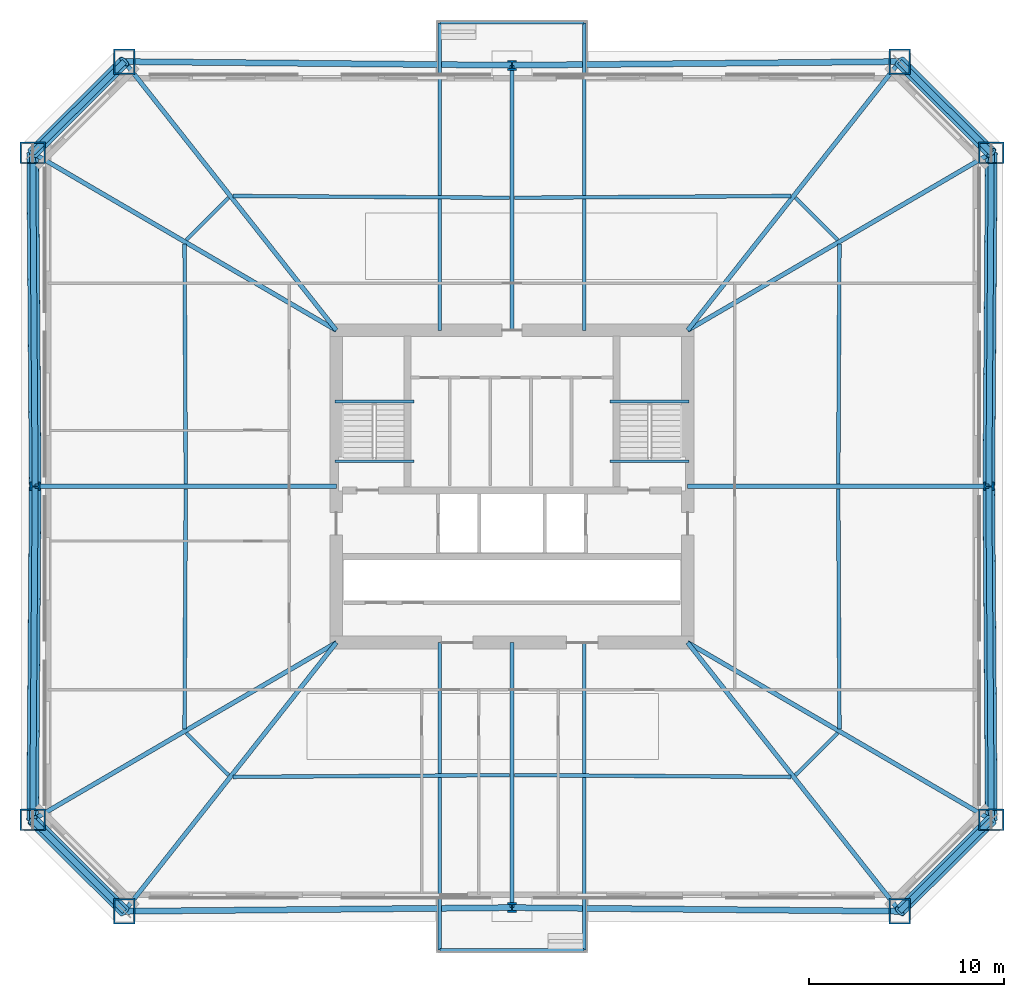
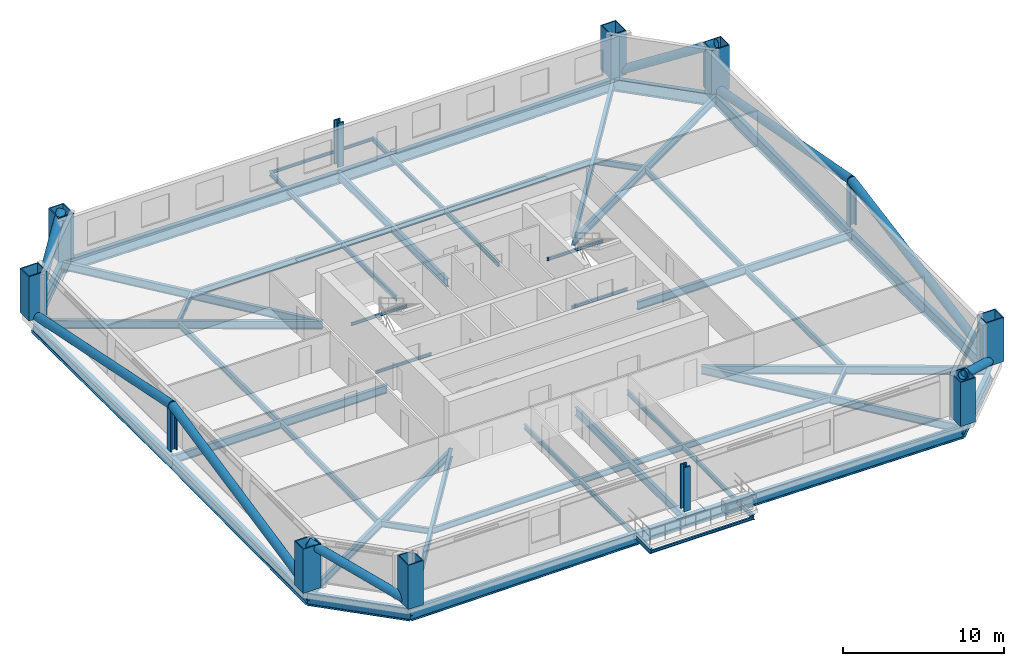
# One storey, part 1 of 7: 46 beams, 12 columns, 8 members.
"""IFC4 building model written with IfcOpenShell, lengths in metres."""

import ifcopenshell
import ifcopenshell.guid

model = None  # the IFC model being written
_history = None  # IfcOwnerHistory: only IFC2X3 demands one
_inside = {}  # id of a spatial element -> (the spatial element, [elements in it])
_under = {}  # id of a project, library or spatial element -> (it, [spatial elements below it])
_declared = {}  # id of a project -> (the project, [libraries it declares])
_typed = {}  # id of a type object -> (the type object, [elements of that type])
_made_of = {}  # id of a material, layer set ... -> (it, [elements and type objects made of it])


def new_model(schema):
    """Start an empty IFC model of exactly this schema.

    Asked for "IFC4X3", IfcOpenShell would pick the latest addendum, in which some entities
    have other attributes; the version numbers below select the first issue.
    IFC2X3 requires an IfcOwnerHistory on every rooted entity: one is made here for all.
    """
    global model, _history
    if schema == "IFC4X3":
        model = ifcopenshell.file(schema_version=(4, 3, 0, 0))
    else:
        model = ifcopenshell.file(schema=schema)
    _inside.clear()
    _under.clear()
    _declared.clear()
    _typed.clear()
    _made_of.clear()
    _history = None
    if model.schema == "IFC2X3":
        org = make("IfcOrganization", Name="unknown")
        user = make(
            "IfcPersonAndOrganization",
            ThePerson=make("IfcPerson", FamilyName="unknown"),
            TheOrganization=org,
        )
        app = make(
            "IfcApplication",
            ApplicationDeveloper=org,
            Version="unknown",
            ApplicationFullName="unknown",
            ApplicationIdentifier="unknown",
        )
        _history = make(
            "IfcOwnerHistory",
            OwningUser=user,
            OwningApplication=app,
            ChangeAction="ADDED",
            CreationDate=0,
        )
    return model


def make(cls, **values):
    """One entity of the class cls with the attributes given. An attribute that is None is left unset."""
    return model.create_entity(
        cls, **{name: value for name, value in values.items() if value is not None}
    )


def rooted(cls, **values):
    """An entity with a GlobalId (a new one), such as an element, a storey or a relation."""
    return make(cls, GlobalId=ifcopenshell.guid.new(), OwnerHistory=_history, **values)


def si_unit(unit_type, name, prefix=None):
    """IfcSIUnit, for example si_unit("LENGTHUNIT", "METRE", prefix="MILLI")."""
    return make("IfcSIUnit", UnitType=unit_type, Prefix=prefix, Name=name)


def assignment(units):
    """IfcUnitAssignment: the units of a project."""
    return None if units is None else make("IfcUnitAssignment", Units=units)


def point(xyz):
    """IfcCartesianPoint."""
    return None if xyz is None else make("IfcCartesianPoint", Coordinates=xyz)


def direction(xyz):
    """IfcDirection."""
    return None if xyz is None else make("IfcDirection", DirectionRatios=xyz)


def frame(location, z_axis=None, x_axis=None):
    """IfcAxis2Placement3D, a coordinate frame: its origin and axes. An axis left out is left unset."""
    return make(
        "IfcAxis2Placement3D",
        Location=point(location),
        Axis=direction(z_axis),
        RefDirection=direction(x_axis),
    )


def frame_2d(location, x_axis=None):
    """IfcAxis2Placement2D, a coordinate frame in the plane: its origin and x axis."""
    return make(
        "IfcAxis2Placement2D", Location=point(location), RefDirection=direction(x_axis)
    )


def origin():
    """The frame at (0, 0, 0) with its axes left unset."""
    return frame((0.0, 0.0, 0.0))


def origin_2d():
    """The frame at (0, 0) in the plane with its x axis left unset."""
    return frame_2d((0.0, 0.0))


def place(relative_to, where):
    """IfcLocalPlacement: puts the frame where relative to a parent placement (None: the world)."""
    return make(
        "IfcLocalPlacement", PlacementRelTo=relative_to, RelativePlacement=where
    )


def context(
    kind, dimensions, precision=None, world=None, true_north=None, identifier=None
):
    """IfcGeometricRepresentationContext, for example the 3D "Model" context."""
    return make(
        "IfcGeometricRepresentationContext",
        ContextIdentifier=identifier,
        ContextType=kind,
        CoordinateSpaceDimension=dimensions,
        Precision=precision,
        WorldCoordinateSystem=world,
        TrueNorth=true_north,
    )


def subcontext(parent, identifier, kind, view, scale=None):
    """IfcGeometricRepresentationSubContext, for example "Body" below "Model"."""
    return make(
        "IfcGeometricRepresentationSubContext",
        ContextIdentifier=identifier,
        ContextType=kind,
        ParentContext=parent,
        TargetScale=scale,
        TargetView=view,
    )


def project(units=None, contexts=None):
    """IfcProject with its units and contexts."""
    return rooted(
        "IfcProject",
        Name="project",
        RepresentationContexts=contexts,
        UnitsInContext=assignment(units),
    )


def spatial(cls, under=None, at=None, **own):
    """A site, building, storey or space (cls), placed at a placement, below another one or the project."""
    s = rooted(cls, ObjectPlacement=at, **own)
    if under is not None:
        _under.setdefault(under.id(), (under, []))[1].append(s)
    return s


def profile(cls, at=None, kind="AREA", **sizes):
    """A parametric profile (cls). Its sizes go by their IFC names, for example OverallWidth=200.0."""
    return make(cls, ProfileType=kind, Position=at, **sizes)


def hollow_rectangle(**sizes):
    """IfcRectangleHollowProfileDef."""
    return profile("IfcRectangleHollowProfileDef", **sizes)


def hollow_circle(**sizes):
    """IfcCircleHollowProfileDef."""
    return profile("IfcCircleHollowProfileDef", **sizes)


def i_section(**sizes):
    """IfcIShapeProfileDef."""
    return profile("IfcIShapeProfileDef", **sizes)


def extrude(swept, where, along, depth):
    """IfcExtrudedAreaSolid: the profile swept, set in the frame where, extruded along a direction by depth."""
    return make(
        "IfcExtrudedAreaSolid",
        SweptArea=swept,
        Position=where,
        ExtrudedDirection=direction(along),
        Depth=depth,
    )


def shape(context_of_items, identifier, shape_type, items):
    """IfcShapeRepresentation: the items that make up one representation, for example the "Body"."""
    return make(
        "IfcShapeRepresentation",
        ContextOfItems=context_of_items,
        RepresentationIdentifier=identifier,
        RepresentationType=shape_type,
        Items=items,
    )


def material(Name=None, Category=None):
    """IfcMaterial."""
    return make("IfcMaterial", Name=Name, Category=Category)


def material_profile(
    of_material, cross_section, Name=None, Category=None, Priority=None
):
    """IfcMaterialProfile: a cross section and its material."""
    return make(
        "IfcMaterialProfile",
        Name=Name,
        Material=of_material,
        Profile=cross_section,
        Priority=Priority,
        Category=Category,
    )


def profile_set(profiles, Name=None, composite=None):
    """IfcMaterialProfileSet."""
    return make(
        "IfcMaterialProfileSet",
        Name=Name,
        MaterialProfiles=profiles,
        CompositeProfile=composite,
    )


def made_of(thing, what):
    """Note that an element or type object is made of a material, layer set ...; save() writes the relation."""
    if what is not None:
        _made_of.setdefault(what.id(), (what, []))[1].append(thing)
    return thing


def type_object(cls, material=None, **own):
    """A type object (cls), such as IfcWallType, which elements share."""
    return made_of(rooted(cls, **own), material)


def element(
    cls,
    number,
    at=None,
    inside=None,
    cuts=None,
    type_object=None,
    material=None,
    context=None,
    identifier="Body",
    shape_type=None,
    held_by="IfcProductDefinitionShape",
    body=None,
    shapes=None,
    **own,
):
    """One element of the class cls, such as IfcWall. Its Tag is "e" and its number.

    at: its placement. inside: the storey or other place that contains it. cuts: it is an
    opening in that element (IfcRelVoidsElement). A single representation is given by context,
    identifier, shape_type and body (its items); several are given by shapes. held_by: the class
    of the entity that holds the representations. save() writes the other relations.
    """
    e = rooted(cls, Tag="e%d" % number, ObjectPlacement=at, **own)
    if body is not None:
        shapes = [shape(context, identifier, shape_type, body)]
    if shapes is not None:
        e.Representation = make(held_by, Representations=shapes)
    if inside is not None:
        _inside.setdefault(inside.id(), (inside, []))[1].append(e)
    if cuts is not None:
        rooted(
            "IfcRelVoidsElement", RelatingBuildingElement=cuts, RelatedOpeningElement=e
        )
    if type_object is not None:
        _typed.setdefault(type_object.id(), (type_object, []))[1].append(e)
    return made_of(e, material)


def aggregate(whole, parts):
    """IfcRelAggregates: a whole, such as a stair, and the parts it consists of."""
    return rooted("IfcRelAggregates", RelatingObject=whole, RelatedObjects=parts)


def save(model, path):
    """Write the relations noted so far, then the file.

    IfcRelAggregates (storeys below a building ...), IfcRelContainedInSpatialStructure (elements
    in a storey), IfcRelDefinesByType, IfcRelAssociatesMaterial and IfcRelDeclares: one each for
    every whole, place, type object, material and project.
    """
    for whole, parts in _under.values():
        aggregate(whole, parts)
    for where, things in _inside.values():
        rooted(
            "IfcRelContainedInSpatialStructure",
            RelatedElements=things,
            RelatingStructure=where,
        )
    for kind, things in _typed.values():
        rooted("IfcRelDefinesByType", RelatedObjects=things, RelatingType=kind)
    for what, things in _made_of.values():
        rooted("IfcRelAssociatesMaterial", RelatedObjects=things, RelatingMaterial=what)
    for by, libraries in _declared.values():
        rooted("IfcRelDeclares", RelatingContext=by, RelatedDefinitions=libraries)
    model.write(path)


model = new_model("IFC4")

# Units and contexts
model_context = context("Model", 3, precision=1e-05, world=origin(), true_north=direction((0.0, 1.0)))
body_context = subcontext(model_context, "Body", "Model", "MODEL_VIEW")
ifc_project = project(units=[si_unit("LENGTHUNIT", "METRE"), si_unit("AREAUNIT", "SQUARE_METRE"), si_unit("VOLUMEUNIT", "CUBIC_METRE"), si_unit("PLANEANGLEUNIT", "RADIAN"), si_unit("MASSUNIT", "GRAM", prefix="KILO")], contexts=[model_context])

# Site, building, storey
site_placement = place(None, origin())
site = spatial("IfcSite", under=ifc_project, at=site_placement, CompositionType="ELEMENT")
building_placement = place(site_placement, origin())
building = spatial("IfcBuilding", under=site, at=building_placement, Name="Caelvoria Tower", CompositionType="ELEMENT")
storey_placement = place(building_placement, frame((0.0, 0.0, 38.800048828125)))
storey = spatial("IfcBuildingStorey", under=building, at=storey_placement, Name="L09", CompositionType="ELEMENT", Elevation=38.800048828125)

# Columns
ifc_material_1 = material(Name="Structural Steel ASTM A913 Gr.65", Category="steel")
ifc_material_profile_1 = material_profile(ifc_material_1, i_section(OverallWidth=0.43896484375, OverallDepth=0.513916015625, WebThickness=0.059814453125, FlangeThickness=0.096923828125, FilletRadius=0.02490234375, at=origin_2d()), Name="Structural Steel ASTM A913 Gr.65")
ifc_profile_set_1 = profile_set([ifc_material_profile_1], Name="W360X818 - Structural Steel ASTM A913 Gr.65")
column_type_1 = type_object("IfcColumnType", Name="Heavy Frame Column W360X818", PredefinedType="COLUMN", material=ifc_profile_set_1)
for number, where, z_axis, x_axis, name in (
    (1, (46.0, 10.419921875, 0.0), (0.0, 0.0, 1.0), (1.0, 0.0, 0.0), "Perimeter Megaframe Column L09-P01"),
    (2, (70.429931640625, 32.0, 0.0), (0.0, 0.0, 1.0), (0.0, 1.0, 0.0), "Perimeter Megaframe Column L09-P04"),
    (3, (46.0, 53.580078125, 0.0), (0.0, 0.0, 1.0), (1.0, 0.0, 0.0), "Perimeter Megaframe Column L09-P07"),
    (4, (21.570068359375, 32.0, 0.0), (0.0, 0.0, 1.0), (0.0, 1.0, 0.0), "Perimeter Megaframe Column L09-P10"),
):
    element("IfcColumn", number, at=place(storey_placement, frame(where, z_axis=z_axis, x_axis=x_axis)), inside=storey, type_object=column_type_1, Name=name, PredefinedType="COLUMN", context=body_context, shape_type="SweptSolid", body=[
        extrude(i_section(OverallWidth=0.43896484375, OverallDepth=0.513916015625, WebThickness=0.059814453125, FlangeThickness=0.096923828125, FilletRadius=0.02490234375, at=origin_2d()), origin(), (0.0, 0.0, 1.0), 3.35791015625),
    ])
ifc_material_2 = material(Name="Structural Steel ASTM A572 Gr.50", Category="steel")
ifc_material_profile_2 = material_profile(ifc_material_2, hollow_rectangle(XDim=1.10009765625, YDim=1.300048828125, WallThickness=0.070068359375, at=origin_2d()), Name="Structural Steel ASTM A572 Gr.50")
ifc_profile_set_2 = profile_set([ifc_material_profile_2], Name="BOX1300X1100X70 - Structural Steel ASTM A572 Gr.50")
column_type_2 = type_object("IfcColumnType", Name="Mega Box Column 1300x1100x70", PredefinedType="COLUMN", material=ifc_profile_set_2)
for number, where, z_axis, x_axis, name in (
    (5, (26.13525390625, 10.231689453125, 0.0), (0.0, 0.0, 1.0), (1.0, 0.0, 0.0), "Perimeter Megaframe Column L09-P00"),
    (6, (65.86474609375, 10.231689453125, 0.0), (0.0, 0.0, 1.0), (1.0, 0.0, 0.0), "Perimeter Megaframe Column L09-P02"),
    (7, (70.55908203125, 14.9111328125, 0.0), (0.0, 0.0, 1.0), (0.0, 1.0, 0.0), "Perimeter Megaframe Column L09-P03"),
    (8, (70.55908203125, 49.0888671875, 0.0), (0.0, 0.0, 1.0), (0.0, 1.0, 0.0), "Perimeter Megaframe Column L09-P05"),
    (9, (65.86474609375, 53.768310546875, 0.0), (0.0, 0.0, 1.0), (1.0, 0.0, 0.0), "Perimeter Megaframe Column L09-P06"),
    (10, (26.13525390625, 53.768310546875, 0.0), (0.0, 0.0, 1.0), (1.0, 0.0, 0.0), "Perimeter Megaframe Column L09-P08"),
    (11, (21.44091796875, 49.0888671875, 0.0), (0.0, 0.0, 1.0), (0.0, 1.0, 0.0), "Perimeter Megaframe Column L09-P09"),
    (12, (21.44091796875, 14.9111328125, 0.0), (0.0, 0.0, 1.0), (0.0, 1.0, 0.0), "Perimeter Megaframe Column L09-P11"),
):
    element("IfcColumn", number, at=place(storey_placement, frame(where, z_axis=z_axis, x_axis=x_axis)), inside=storey, type_object=column_type_2, Name=name, PredefinedType="COLUMN", context=body_context, shape_type="SweptSolid", body=[
        extrude(hollow_rectangle(XDim=1.10009765625, YDim=1.300048828125, WallThickness=0.070068359375, at=origin_2d()), origin(), (0.0, 0.0, 1.0), 3.35791015625),
    ])

# Beams
ifc_material_3 = material(Name="Structural Steel ASTM A992 Gr.50", Category="steel")
ifc_material_profile_3 = material_profile(ifc_material_3, i_section(OverallWidth=0.134033203125, OverallDepth=0.2099609375, WebThickness=0.00634765625, FlangeThickness=0.01025390625, FilletRadius=0.010009765625, at=origin_2d()), Name="Structural Steel ASTM A992 Gr.50")
ifc_profile_set_3 = profile_set([ifc_material_profile_3], Name="W200X31.3 - Structural Steel ASTM A992 Gr.50")
beam_type_1 = type_object("IfcBeamType", Name="Canopy Edge Trim Beam W200X31.3", PredefinedType="BEAM", material=ifc_profile_set_3)
for number, where, z_axis, x_axis, name in (
    (13, (42.300048828125, 8.25, -0.629150390625), (1.0, 0.0, 0.0), (0.0, 1.0, 0.0), "Tree Balcony Edge Beam TB-L09-S"),
    (14, (42.300048828125, 55.75, -0.629150390625), (1.0, 0.0, 0.0), (0.0, 1.0, 0.0), "Tree Balcony Edge Beam TB-L09-N"),
):
    element("IfcBeam", number, at=place(storey_placement, frame(where, z_axis=z_axis, x_axis=x_axis)), inside=storey, type_object=beam_type_1, Name=name, PredefinedType="BEAM", context=body_context, shape_type="SweptSolid", body=[
        extrude(i_section(OverallWidth=0.134033203125, OverallDepth=0.2099609375, WebThickness=0.00634765625, FlangeThickness=0.01025390625, FilletRadius=0.010009765625, at=origin_2d()), origin(), (0.0, 0.0, 1.0), 7.39990234375),
    ])
for number, where, z_axis, x_axis, name in (
    (15, (36.929931640625, 36.35009765625, 1.494873046875), (1.0, 0.0, 0.0), (0.0, 1.0, 0.0), "ST-01 Half-Landing Support Beam L09"),
    (16, (36.929931640625, 33.300048828125, -0.304931640625), (1.0, 0.0, 0.0), (0.0, 1.0, 0.0), "ST-01 Floor-Landing Support Beam L09"),
    (17, (51.030029296875, 36.35009765625, 1.494873046875), (1.0, 0.0, 0.0), (0.0, 1.0, 0.0), "ST-02 Half-Landing Support Beam L09"),
    (18, (51.030029296875, 33.300048828125, -0.304931640625), (1.0, 0.0, 0.0), (0.0, 1.0, 0.0), "ST-02 Floor-Landing Support Beam L09"),
):
    element("IfcBeam", number, at=place(storey_placement, frame(where, z_axis=z_axis, x_axis=x_axis)), inside=storey, type_object=beam_type_1, Name=name, PredefinedType="BEAM", context=body_context, shape_type="SweptSolid", body=[
        extrude(i_section(OverallWidth=0.134033203125, OverallDepth=0.2099609375, WebThickness=0.00634765625, FlangeThickness=0.01025390625, FilletRadius=0.010009765625, at=origin_2d()), origin(), (0.0, 0.0, 1.0), 4.0400390625),
    ])

# Members
ifc_material_profile_4 = material_profile(ifc_material_2, hollow_circle(Radius=0.304931640625, WallThickness=0.02490234375, at=origin_2d()), Name="Structural Steel ASTM A572 Gr.50")
ifc_profile_set_4 = profile_set([ifc_material_profile_4], Name="CHS610X25 - Structural Steel ASTM A572 Gr.50")
member_type = type_object("IfcMemberType", Name="Lower Perimeter Mega Brace CHS610X25", PredefinedType="BRACE", material=ifc_profile_set_4)
for number, where, z_axis, x_axis, name in (
    (19, (70.55908203125, 14.9111328125, 0.0), (-0.631706723412, -0.6297026611, 0.452129598897), (0.705982475332, -0.708229302221, 0.0), "Perimeter Chamfer Mega Brace L09 SE"),
    (20, (65.86474609375, 53.768310546875, 0.0), (0.631706723412, -0.6297026611, 0.452129598897), (0.705982475332, 0.708229302221, 0.0), "Perimeter Chamfer Mega Brace L09 NE"),
    (21, (21.44091796875, 49.0888671875, 0.0), (0.631706723412, 0.6297026611, 0.452129598897), (-0.705982475332, 0.708229302221, 0.0), "Perimeter Chamfer Mega Brace L09 NW"),
    (22, (26.13525390625, 10.231689453125, 0.0), (-0.631706723412, 0.6297026611, 0.452129598897), (-0.705982475332, -0.708229302221, 0.0), "Perimeter Chamfer Mega Brace L09 SW"),
):
    element("IfcMember", number, at=place(storey_placement, frame(where, z_axis=z_axis, x_axis=x_axis)), inside=storey, type_object=member_type, Name=name, PredefinedType="BRACE", context=body_context, shape_type="SweptSolid", body=[
        extrude(hollow_circle(Radius=0.304931640625, WallThickness=0.02490234375, at=origin_2d()), origin(), (0.0, 0.0, 1.0), 7.43115234375),
    ])
for number, where, z_axis, x_axis, name in (
    (23, (70.55908203125, 14.9111328125, 0.0), (-0.007415401086, 0.981187928993, 0.192912570416), (-0.999971442756, -0.007557358895, 0.0), "Perimeter Cardinal Mega Brace L09 EA"),
    (24, (70.55908203125, 49.0888671875, 0.0), (-0.007415401086, -0.981187928993, 0.192912570416), (0.999971442756, -0.007557358895, 0.0), "Perimeter Cardinal Mega Brace L09 EB"),
    (25, (21.44091796875, 49.0888671875, 0.0), (0.007415401086, -0.981187928993, 0.192912570416), (0.999971442756, 0.007557358895, 0.0), "Perimeter Cardinal Mega Brace L09 WA"),
    (26, (21.44091796875, 14.9111328125, 0.0), (0.007415401086, 0.981187928993, 0.192912570416), (-0.999971442756, 0.007557358895, 0.0), "Perimeter Cardinal Mega Brace L09 WB"),
):
    element("IfcMember", number, at=place(storey_placement, frame(where, z_axis=z_axis, x_axis=x_axis)), inside=storey, type_object=member_type, Name=name, PredefinedType="BRACE", context=body_context, shape_type="SweptSolid", body=[
        extrude(hollow_circle(Radius=0.304931640625, WallThickness=0.02490234375, at=origin_2d()), origin(), (0.0, 0.0, 1.0), 17.41650390625),
    ])

# Beams
ifc_material_profile_5 = material_profile(ifc_material_3, i_section(OverallWidth=0.30810546875, OverallDepth=0.927001953125, WebThickness=0.019287109375, FlangeThickness=0.031982421875, FilletRadius=0.02392578125, at=origin_2d()), Name="Structural Steel ASTM A992 Gr.50")
ifc_profile_set_5 = profile_set([ifc_material_profile_5], Name="W920X289 - Structural Steel ASTM A992 Gr.50")
beam_type_2 = type_object("IfcBeamType", Name="Outrigger Tie Girder W920X289", PredefinedType="BEAM", material=ifc_profile_set_5)
for number, where, z_axis, x_axis, name in (
    (27, (26.13525390625, 10.231689453125, -0.91357421875), (0.999955108555, 0.009475277004, 0.0), (-0.009475277004, 0.999955108555, 0.0), "Perimeter Spandrel Girder L09-00"),
    (28, (46.0, 10.419921875, -0.91357421875), (0.999955108555, -0.009475277004, 0.0), (0.009475277004, 0.999955108555, 0.0), "Perimeter Spandrel Girder L09-01"),
):
    element("IfcBeam", number, at=place(storey_placement, frame(where, z_axis=z_axis, x_axis=x_axis)), inside=storey, type_object=beam_type_2, Name=name, PredefinedType="BEAM", context=body_context, shape_type="SweptSolid", body=[
        extrude(i_section(OverallWidth=0.30810546875, OverallDepth=0.927001953125, WebThickness=0.019287109375, FlangeThickness=0.031982421875, FilletRadius=0.02392578125, at=origin_2d()), origin(), (0.0, 0.0, 1.0), 19.86572265625),
    ])
beam_1_placement = place(storey_placement, frame((65.86474609375, 10.231689453125, -0.91357421875), z_axis=(0.708229302221, 0.705982475332, 0.0), x_axis=(-0.705982475332, 0.708229302221, 0.0)))
element("IfcBeam", 29, at=beam_1_placement, inside=storey, type_object=beam_type_2, Name="Perimeter Spandrel Girder L09-02", PredefinedType="BEAM", context=body_context, shape_type="SweptSolid", body=[
    extrude(i_section(OverallWidth=0.30810546875, OverallDepth=0.927001953125, WebThickness=0.019287109375, FlangeThickness=0.031982421875, FilletRadius=0.02392578125, at=origin_2d()), origin(), (0.0, 0.0, 1.0), 6.628173828125),
])
for number, where, z_axis, x_axis, name in (
    (30, (70.55908203125, 14.9111328125, -0.91357421875), (-0.007557358895, 0.999971442756, 0.0), (-0.999971442756, -0.007557358895, 0.0), "Perimeter Spandrel Girder L09-03"),
    (31, (70.429931640625, 32.0, -0.91357421875), (0.007557358895, 0.999971442756, 0.0), (-0.999971442756, 0.007557358895, 0.0), "Perimeter Spandrel Girder L09-04"),
):
    element("IfcBeam", number, at=place(storey_placement, frame(where, z_axis=z_axis, x_axis=x_axis)), inside=storey, type_object=beam_type_2, Name=name, PredefinedType="BEAM", context=body_context, shape_type="SweptSolid", body=[
        extrude(i_section(OverallWidth=0.30810546875, OverallDepth=0.927001953125, WebThickness=0.019287109375, FlangeThickness=0.031982421875, FilletRadius=0.02392578125, at=origin_2d()), origin(), (0.0, 0.0, 1.0), 17.08935546875),
    ])
beam_2_placement = place(storey_placement, frame((70.55908203125, 49.0888671875, -0.91357421875), z_axis=(-0.708229302221, 0.705982475332, 0.0), x_axis=(-0.705982475332, -0.708229302221, 0.0)))
element("IfcBeam", 32, at=beam_2_placement, inside=storey, type_object=beam_type_2, Name="Perimeter Spandrel Girder L09-05", PredefinedType="BEAM", context=body_context, shape_type="SweptSolid", body=[
    extrude(i_section(OverallWidth=0.30810546875, OverallDepth=0.927001953125, WebThickness=0.019287109375, FlangeThickness=0.031982421875, FilletRadius=0.02392578125, at=origin_2d()), origin(), (0.0, 0.0, 1.0), 6.628173828125),
])
for number, where, z_axis, x_axis, name in (
    (33, (65.86474609375, 53.768310546875, -0.91357421875), (-0.999955108555, -0.009475277004, 0.0), (0.009475277004, -0.999955108555, 0.0), "Perimeter Spandrel Girder L09-06"),
    (34, (46.0, 53.580078125, -0.91357421875), (-0.999955108555, 0.009475277004, 0.0), (-0.009475277004, -0.999955108555, 0.0), "Perimeter Spandrel Girder L09-07"),
):
    element("IfcBeam", number, at=place(storey_placement, frame(where, z_axis=z_axis, x_axis=x_axis)), inside=storey, type_object=beam_type_2, Name=name, PredefinedType="BEAM", context=body_context, shape_type="SweptSolid", body=[
        extrude(i_section(OverallWidth=0.30810546875, OverallDepth=0.927001953125, WebThickness=0.019287109375, FlangeThickness=0.031982421875, FilletRadius=0.02392578125, at=origin_2d()), origin(), (0.0, 0.0, 1.0), 19.86572265625),
    ])
beam_3_placement = place(storey_placement, frame((26.13525390625, 53.768310546875, -0.91357421875), z_axis=(-0.708229302221, -0.705982475332, 0.0), x_axis=(0.705982475332, -0.708229302221, 0.0)))
element("IfcBeam", 35, at=beam_3_placement, inside=storey, type_object=beam_type_2, Name="Perimeter Spandrel Girder L09-08", PredefinedType="BEAM", context=body_context, shape_type="SweptSolid", body=[
    extrude(i_section(OverallWidth=0.30810546875, OverallDepth=0.927001953125, WebThickness=0.019287109375, FlangeThickness=0.031982421875, FilletRadius=0.02392578125, at=origin_2d()), origin(), (0.0, 0.0, 1.0), 6.628173828125),
])
for number, where, z_axis, x_axis, name in (
    (36, (21.44091796875, 49.0888671875, -0.91357421875), (0.007557358895, -0.999971442756, 0.0), (0.999971442756, 0.007557358895, 0.0), "Perimeter Spandrel Girder L09-09"),
    (37, (21.570068359375, 32.0, -0.91357421875), (-0.007557358895, -0.999971442756, 0.0), (0.999971442756, -0.007557358895, 0.0), "Perimeter Spandrel Girder L09-10"),
):
    element("IfcBeam", number, at=place(storey_placement, frame(where, z_axis=z_axis, x_axis=x_axis)), inside=storey, type_object=beam_type_2, Name=name, PredefinedType="BEAM", context=body_context, shape_type="SweptSolid", body=[
        extrude(i_section(OverallWidth=0.30810546875, OverallDepth=0.927001953125, WebThickness=0.019287109375, FlangeThickness=0.031982421875, FilletRadius=0.02392578125, at=origin_2d()), origin(), (0.0, 0.0, 1.0), 17.08935546875),
    ])
beam_4_placement = place(storey_placement, frame((21.44091796875, 14.9111328125, -0.91357421875), z_axis=(0.708229302221, -0.705982475332, 0.0), x_axis=(0.705982475332, 0.708229302221, 0.0)))
element("IfcBeam", 38, at=beam_4_placement, inside=storey, type_object=beam_type_2, Name="Perimeter Spandrel Girder L09-11", PredefinedType="BEAM", context=body_context, shape_type="SweptSolid", body=[
    extrude(i_section(OverallWidth=0.30810546875, OverallDepth=0.927001953125, WebThickness=0.019287109375, FlangeThickness=0.031982421875, FilletRadius=0.02392578125, at=origin_2d()), origin(), (0.0, 0.0, 1.0), 6.628173828125),
])
ifc_material_profile_6 = material_profile(ifc_material_3, i_section(OverallWidth=0.22900390625, OverallDepth=0.612060546875, WebThickness=0.011962890625, FlangeThickness=0.01953125, FilletRadius=0.01806640625, at=origin_2d()), Name="Structural Steel ASTM A992 Gr.50")
ifc_profile_set_6 = profile_set([ifc_material_profile_6], Name="W610X125 - Structural Steel ASTM A992 Gr.50")
beam_type_3 = type_object("IfcBeamType", Name="Primary Radial Floor Girder W610X125", PredefinedType="BEAM", material=ifc_profile_set_6)
beam_5_placement = place(storey_placement, frame((37.0, 24.0, -0.756103515625), z_axis=(-0.619469607618, -0.785020640007, 0.0), x_axis=(0.785020640007, -0.619469607618, 0.0)))
element("IfcBeam", 39, at=beam_5_placement, inside=storey, type_object=beam_type_3, Name="Primary Floor Girder L09-00", PredefinedType="BEAM", context=body_context, shape_type="SweptSolid", body=[
    extrude(i_section(OverallWidth=0.22900390625, OverallDepth=0.612060546875, WebThickness=0.011962890625, FlangeThickness=0.01953125, FilletRadius=0.01806640625, at=origin_2d()), origin(), (0.0, 0.0, 1.0), 17.538818359375),
])
beam_6_placement = place(storey_placement, frame((46.0, 24.0, -0.756103515625), z_axis=(0.0, -1.0, 0.0), x_axis=(1.0, 0.0, 0.0)))
element("IfcBeam", 40, at=beam_6_placement, inside=storey, type_object=beam_type_3, Name="Primary Floor Girder L09-01", PredefinedType="BEAM", context=body_context, shape_type="SweptSolid", body=[
    extrude(i_section(OverallWidth=0.22900390625, OverallDepth=0.612060546875, WebThickness=0.011962890625, FlangeThickness=0.01953125, FilletRadius=0.01806640625, at=origin_2d()), origin(), (0.0, 0.0, 1.0), 13.580078125),
])
beam_7_placement = place(storey_placement, frame((55.0, 24.0, -0.756103515625), z_axis=(0.619469607618, -0.785020640007, 0.0), x_axis=(0.785020640007, 0.619469607618, 0.0)))
element("IfcBeam", 41, at=beam_7_placement, inside=storey, type_object=beam_type_3, Name="Primary Floor Girder L09-02", PredefinedType="BEAM", context=body_context, shape_type="SweptSolid", body=[
    extrude(i_section(OverallWidth=0.22900390625, OverallDepth=0.612060546875, WebThickness=0.011962890625, FlangeThickness=0.01953125, FilletRadius=0.01806640625, at=origin_2d()), origin(), (0.0, 0.0, 1.0), 17.538818359375),
])
beam_8_placement = place(storey_placement, frame((55.0, 24.0, -0.756103515625), z_axis=(0.863471116807, -0.504398285525, 0.0), x_axis=(0.504398285525, 0.863471116807, 0.0)))
element("IfcBeam", 42, at=beam_8_placement, inside=storey, type_object=beam_type_3, Name="Primary Floor Girder L09-03", PredefinedType="BEAM", context=body_context, shape_type="SweptSolid", body=[
    extrude(i_section(OverallWidth=0.22900390625, OverallDepth=0.612060546875, WebThickness=0.011962890625, FlangeThickness=0.01953125, FilletRadius=0.01806640625, at=origin_2d()), origin(), (0.0, 0.0, 1.0), 18.019287109375),
])
beam_9_placement = place(storey_placement, frame((55.0, 32.0, -0.756103515625), z_axis=(1.0, 0.0, 0.0), x_axis=(0.0, 1.0, 0.0)))
element("IfcBeam", 43, at=beam_9_placement, inside=storey, type_object=beam_type_3, Name="Primary Floor Girder L09-04", PredefinedType="BEAM", context=body_context, shape_type="SweptSolid", body=[
    extrude(i_section(OverallWidth=0.22900390625, OverallDepth=0.612060546875, WebThickness=0.011962890625, FlangeThickness=0.01953125, FilletRadius=0.01806640625, at=origin_2d()), origin(), (0.0, 0.0, 1.0), 15.429931640625),
])
beam_10_placement = place(storey_placement, frame((55.0, 40.0, -0.756103515625), z_axis=(0.863471116807, 0.504398285525, 0.0), x_axis=(-0.504398285525, 0.863471116807, 0.0)))
element("IfcBeam", 44, at=beam_10_placement, inside=storey, type_object=beam_type_3, Name="Primary Floor Girder L09-05", PredefinedType="BEAM", context=body_context, shape_type="SweptSolid", body=[
    extrude(i_section(OverallWidth=0.22900390625, OverallDepth=0.612060546875, WebThickness=0.011962890625, FlangeThickness=0.01953125, FilletRadius=0.01806640625, at=origin_2d()), origin(), (0.0, 0.0, 1.0), 18.019287109375),
])
beam_11_placement = place(storey_placement, frame((55.0, 40.0, -0.756103515625), z_axis=(0.619469607618, 0.785020640007, 0.0), x_axis=(-0.785020640007, 0.619469607618, 0.0)))
element("IfcBeam", 45, at=beam_11_placement, inside=storey, type_object=beam_type_3, Name="Primary Floor Girder L09-06", PredefinedType="BEAM", context=body_context, shape_type="SweptSolid", body=[
    extrude(i_section(OverallWidth=0.22900390625, OverallDepth=0.612060546875, WebThickness=0.011962890625, FlangeThickness=0.01953125, FilletRadius=0.01806640625, at=origin_2d()), origin(), (0.0, 0.0, 1.0), 17.538818359375),
])
beam_12_placement = place(storey_placement, frame((46.0, 40.0, -0.756103515625), z_axis=(0.0, 1.0, 0.0), x_axis=(-1.0, 0.0, 0.0)))
element("IfcBeam", 46, at=beam_12_placement, inside=storey, type_object=beam_type_3, Name="Primary Floor Girder L09-07", PredefinedType="BEAM", context=body_context, shape_type="SweptSolid", body=[
    extrude(i_section(OverallWidth=0.22900390625, OverallDepth=0.612060546875, WebThickness=0.011962890625, FlangeThickness=0.01953125, FilletRadius=0.01806640625, at=origin_2d()), origin(), (0.0, 0.0, 1.0), 13.580078125),
])
beam_13_placement = place(storey_placement, frame((37.0, 40.0, -0.756103515625), z_axis=(-0.619469607618, 0.785020640007, 0.0), x_axis=(-0.785020640007, -0.619469607618, 0.0)))
element("IfcBeam", 47, at=beam_13_placement, inside=storey, type_object=beam_type_3, Name="Primary Floor Girder L09-08", PredefinedType="BEAM", context=body_context, shape_type="SweptSolid", body=[
    extrude(i_section(OverallWidth=0.22900390625, OverallDepth=0.612060546875, WebThickness=0.011962890625, FlangeThickness=0.01953125, FilletRadius=0.01806640625, at=origin_2d()), origin(), (0.0, 0.0, 1.0), 17.538818359375),
])
beam_14_placement = place(storey_placement, frame((37.0, 40.0, -0.756103515625), z_axis=(-0.863471116807, 0.504398285525, 0.0), x_axis=(-0.504398285525, -0.863471116807, 0.0)))
element("IfcBeam", 48, at=beam_14_placement, inside=storey, type_object=beam_type_3, Name="Primary Floor Girder L09-09", PredefinedType="BEAM", context=body_context, shape_type="SweptSolid", body=[
    extrude(i_section(OverallWidth=0.22900390625, OverallDepth=0.612060546875, WebThickness=0.011962890625, FlangeThickness=0.01953125, FilletRadius=0.01806640625, at=origin_2d()), origin(), (0.0, 0.0, 1.0), 18.019287109375),
])
beam_15_placement = place(storey_placement, frame((37.0, 32.0, -0.756103515625), z_axis=(-1.0, 0.0, 0.0), x_axis=(0.0, -1.0, 0.0)))
element("IfcBeam", 49, at=beam_15_placement, inside=storey, type_object=beam_type_3, Name="Primary Floor Girder L09-10", PredefinedType="BEAM", context=body_context, shape_type="SweptSolid", body=[
    extrude(i_section(OverallWidth=0.22900390625, OverallDepth=0.612060546875, WebThickness=0.011962890625, FlangeThickness=0.01953125, FilletRadius=0.01806640625, at=origin_2d()), origin(), (0.0, 0.0, 1.0), 15.429931640625),
])
beam_16_placement = place(storey_placement, frame((37.0, 24.0, -0.756103515625), z_axis=(-0.863471116807, -0.504398285525, 0.0), x_axis=(0.504398285525, -0.863471116807, 0.0)))
element("IfcBeam", 50, at=beam_16_placement, inside=storey, type_object=beam_type_3, Name="Primary Floor Girder L09-11", PredefinedType="BEAM", context=body_context, shape_type="SweptSolid", body=[
    extrude(i_section(OverallWidth=0.22900390625, OverallDepth=0.612060546875, WebThickness=0.011962890625, FlangeThickness=0.01953125, FilletRadius=0.01806640625, at=origin_2d()), origin(), (0.0, 0.0, 1.0), 18.019287109375),
])
ifc_material_profile_7 = material_profile(ifc_material_3, i_section(OverallWidth=0.18994140625, OverallDepth=0.45703125, WebThickness=0.009033203125, FlangeThickness=0.014404296875, FilletRadius=0.014892578125, at=origin_2d()), Name="Structural Steel ASTM A992 Gr.50")
ifc_profile_set_7 = profile_set([ifc_material_profile_7], Name="W460X74 - Structural Steel ASTM A992 Gr.50")
beam_type_4 = type_object("IfcBeamType", Name="Secondary Floor Beam W460X74", PredefinedType="BEAM", material=ifc_profile_set_7)
for number, where, z_axis, x_axis, name in (
    (51, (31.692626953125, 17.11669921875, -0.678466796875), (0.999978717784, 0.006524107591, 0.0), (-0.006524107591, 0.999978717784, 0.0), "Secondary Floor Beam L09-00"),
    (52, (46.125, 17.209228515625, -0.678466796875), (0.999978717784, -0.006524107591, 0.0), (0.006524107591, 0.999978717784, 0.0), "Secondary Floor Beam L09-01"),
):
    element("IfcBeam", number, at=place(storey_placement, frame(where, z_axis=z_axis, x_axis=x_axis)), inside=storey, type_object=beam_type_4, Name=name, PredefinedType="BEAM", context=body_context, shape_type="SweptSolid", body=[
        extrude(i_section(OverallWidth=0.18994140625, OverallDepth=0.45703125, WebThickness=0.009033203125, FlangeThickness=0.014404296875, FilletRadius=0.014892578125, at=origin_2d()), origin(), (0.0, 0.0, 1.0), 14.1826171875),
    ])
beam_17_placement = place(storey_placement, frame((60.520751953125, 17.2041015625, -0.678466796875), z_axis=(0.708221336069, 0.705990466746, 0.0), x_axis=(-0.705990466746, 0.708221336069, 0.0)))
element("IfcBeam", 53, at=beam_17_placement, inside=storey, type_object=beam_type_4, Name="Secondary Floor Beam L09-02", PredefinedType="BEAM", context=body_context, shape_type="SweptSolid", body=[
    extrude(i_section(OverallWidth=0.18994140625, OverallDepth=0.45703125, WebThickness=0.009033203125, FlangeThickness=0.014404296875, FilletRadius=0.014892578125, at=origin_2d()), origin(), (0.0, 0.0, 1.0), 3.064208984375),
])
for number, where, z_axis, x_axis, name in (
    (54, (62.77880859375, 19.58056640625, -0.678466796875), (-0.005143106845, 0.999986774139, 0.0), (-0.999986774139, -0.005143106845, 0.0), "Secondary Floor Beam L09-03"),
    (55, (62.715576171875, 32.125, -0.678466796875), (0.005143106845, 0.999986774139, 0.0), (-0.999986774139, 0.005143106845, 0.0), "Secondary Floor Beam L09-04"),
):
    element("IfcBeam", number, at=place(storey_placement, frame(where, z_axis=z_axis, x_axis=x_axis)), inside=storey, type_object=beam_type_4, Name=name, PredefinedType="BEAM", context=body_context, shape_type="SweptSolid", body=[
        extrude(i_section(OverallWidth=0.18994140625, OverallDepth=0.45703125, WebThickness=0.009033203125, FlangeThickness=0.014404296875, FilletRadius=0.014892578125, at=origin_2d()), origin(), (0.0, 0.0, 1.0), 12.294677734375),
    ])
beam_18_placement = place(storey_placement, frame((62.69091796875, 44.632568359375, -0.678466796875), z_axis=(-0.708221336069, 0.705990466746, 0.0), x_axis=(-0.705990466746, -0.708221336069, 0.0)))
element("IfcBeam", 56, at=beam_18_placement, inside=storey, type_object=beam_type_4, Name="Secondary Floor Beam L09-05", PredefinedType="BEAM", context=body_context, shape_type="SweptSolid", body=[
    extrude(i_section(OverallWidth=0.18994140625, OverallDepth=0.45703125, WebThickness=0.009033203125, FlangeThickness=0.014404296875, FilletRadius=0.014892578125, at=origin_2d()), origin(), (0.0, 0.0, 1.0), 3.064208984375),
])
for number, where, z_axis, x_axis, name in (
    (57, (60.307373046875, 46.88330078125, -0.678466796875), (-0.999978717784, -0.006524107591, 0.0), (0.006524107591, -0.999978717784, 0.0), "Secondary Floor Beam L09-06"),
    (58, (45.875, 46.790771484375, -0.678466796875), (-0.999978717784, 0.006524107591, 0.0), (-0.006524107591, -0.999978717784, 0.0), "Secondary Floor Beam L09-07"),
):
    element("IfcBeam", number, at=place(storey_placement, frame(where, z_axis=z_axis, x_axis=x_axis)), inside=storey, type_object=beam_type_4, Name=name, PredefinedType="BEAM", context=body_context, shape_type="SweptSolid", body=[
        extrude(i_section(OverallWidth=0.18994140625, OverallDepth=0.45703125, WebThickness=0.009033203125, FlangeThickness=0.014404296875, FilletRadius=0.014892578125, at=origin_2d()), origin(), (0.0, 0.0, 1.0), 14.1826171875),
    ])
beam_19_placement = place(storey_placement, frame((31.479248046875, 46.7958984375, -0.678466796875), z_axis=(-0.708221336069, -0.705990466746, 0.0), x_axis=(0.705990466746, -0.708221336069, 0.0)))
element("IfcBeam", 59, at=beam_19_placement, inside=storey, type_object=beam_type_4, Name="Secondary Floor Beam L09-08", PredefinedType="BEAM", context=body_context, shape_type="SweptSolid", body=[
    extrude(i_section(OverallWidth=0.18994140625, OverallDepth=0.45703125, WebThickness=0.009033203125, FlangeThickness=0.014404296875, FilletRadius=0.014892578125, at=origin_2d()), origin(), (0.0, 0.0, 1.0), 3.064208984375),
])
for number, where, z_axis, x_axis, name in (
    (60, (29.22119140625, 44.41943359375, -0.678466796875), (0.005143106845, -0.999986774139, 0.0), (0.999986774139, 0.005143106845, 0.0), "Secondary Floor Beam L09-09"),
    (61, (29.284423828125, 31.875, -0.678466796875), (-0.005143106845, -0.999986774139, 0.0), (0.999986774139, -0.005143106845, 0.0), "Secondary Floor Beam L09-10"),
):
    element("IfcBeam", number, at=place(storey_placement, frame(where, z_axis=z_axis, x_axis=x_axis)), inside=storey, type_object=beam_type_4, Name=name, PredefinedType="BEAM", context=body_context, shape_type="SweptSolid", body=[
        extrude(i_section(OverallWidth=0.18994140625, OverallDepth=0.45703125, WebThickness=0.009033203125, FlangeThickness=0.014404296875, FilletRadius=0.014892578125, at=origin_2d()), origin(), (0.0, 0.0, 1.0), 12.294677734375),
    ])
beam_20_placement = place(storey_placement, frame((29.30908203125, 19.367431640625, -0.678466796875), z_axis=(0.708221336069, -0.705990466746, 0.0), x_axis=(0.705990466746, 0.708221336069, 0.0)))
element("IfcBeam", 62, at=beam_20_placement, inside=storey, type_object=beam_type_4, Name="Secondary Floor Beam L09-11", PredefinedType="BEAM", context=body_context, shape_type="SweptSolid", body=[
    extrude(i_section(OverallWidth=0.18994140625, OverallDepth=0.45703125, WebThickness=0.009033203125, FlangeThickness=0.014404296875, FilletRadius=0.014892578125, at=origin_2d()), origin(), (0.0, 0.0, 1.0), 3.064208984375),
])
ifc_material_profile_8 = material_profile(ifc_material_3, i_section(OverallWidth=0.1708984375, OverallDepth=0.35498046875, WebThickness=0.007080078125, FlangeThickness=0.01171875, FilletRadius=0.012939453125, at=origin_2d()), Name="Structural Steel ASTM A992 Gr.50")
ifc_profile_set_8 = profile_set([ifc_material_profile_8], Name="W360X51 - Structural Steel ASTM A992 Gr.50")
beam_type_5 = type_object("IfcBeamType", Name="Tree Balcony Cantilever Beam W360X51", PredefinedType="BEAM", material=ifc_profile_set_8)
for number, where, z_axis, x_axis, name in (
    (63, (42.300048828125, 24.0, -0.629150390625), (0.0, -1.0, 0.0), (1.0, 0.0, 0.0), "Tree Balcony Cantilever Beam TB-L09-S L"),
    (64, (49.699951171875, 24.0, -0.629150390625), (0.0, -1.0, 0.0), (1.0, 0.0, 0.0), "Tree Balcony Cantilever Beam TB-L09-S R"),
    (65, (42.300048828125, 40.0, -0.629150390625), (0.0, 1.0, 0.0), (-1.0, 0.0, 0.0), "Tree Balcony Cantilever Beam TB-L09-N L"),
    (66, (49.699951171875, 40.0, -0.629150390625), (0.0, 1.0, 0.0), (-1.0, 0.0, 0.0), "Tree Balcony Cantilever Beam TB-L09-N R"),
):
    element("IfcBeam", number, at=place(storey_placement, frame(where, z_axis=z_axis, x_axis=x_axis)), inside=storey, type_object=beam_type_5, Name=name, PredefinedType="BEAM", context=body_context, shape_type="SweptSolid", body=[
        extrude(i_section(OverallWidth=0.1708984375, OverallDepth=0.35498046875, WebThickness=0.007080078125, FlangeThickness=0.01171875, FilletRadius=0.012939453125, at=origin_2d()), origin(), (0.0, 0.0, 1.0), 15.75),
    ])

save(model, "model.ifc")
